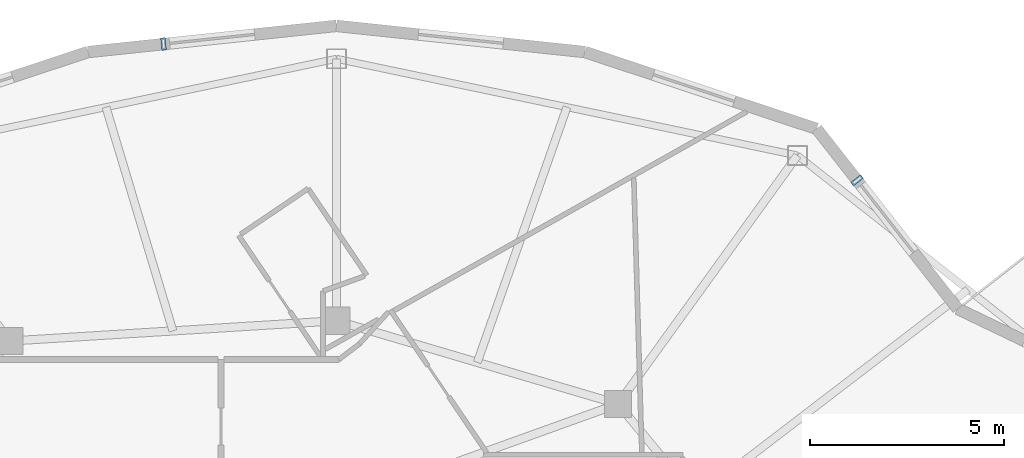
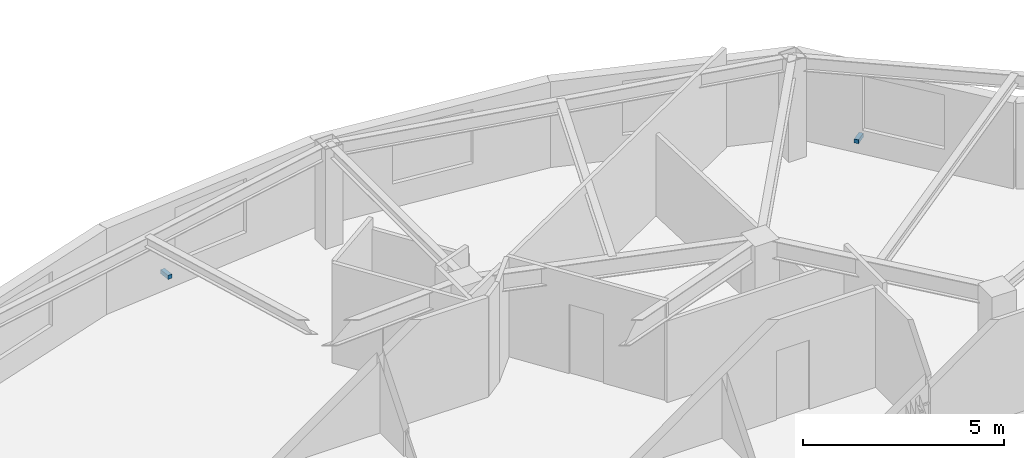
# One storey, part 9 of 13: 2 discrete accessories.
"""IFC4 building model written with IfcOpenShell, lengths in metres."""

from ifc_helpers import new_model, si_unit, direction, frame, origin, origin_2d, place, context, subcontext, project, spatial, rectangle, extrude, material, type_object, element, save


model = new_model("IFC4")

# Units and contexts
model_context = context("Model", 3, precision=1e-05, world=origin(), true_north=direction((0.0, 1.0)))
body_context = subcontext(model_context, "Body", "Model", "MODEL_VIEW")
ifc_project = project(units=[si_unit("LENGTHUNIT", "METRE"), si_unit("AREAUNIT", "SQUARE_METRE"), si_unit("VOLUMEUNIT", "CUBIC_METRE"), si_unit("PLANEANGLEUNIT", "RADIAN"), si_unit("MASSUNIT", "GRAM", prefix="KILO")], contexts=[model_context])

# Site, building, storey
site_placement = place(None, origin())
site = spatial("IfcSite", under=ifc_project, at=site_placement, CompositionType="ELEMENT")
building_placement = place(site_placement, origin())
building = spatial("IfcBuilding", under=site, at=building_placement, Name="Kolvaren Gate Tower and Convention Centre", CompositionType="ELEMENT")
storey_placement = place(building_placement, frame((0.0, 0.0, 196.39990234375)))
storey = spatial("IfcBuildingStorey", under=building, at=storey_placement, Name="L51", CompositionType="ELEMENT", Elevation=196.39990234375)

# Discrete accessories
ifc_material = material(Name="Anodized Architectural Aluminium Alloy 6063-T6", Category="aluminium")
discrete_accessory_type = type_object("IfcDiscreteAccessoryType", Name="ARCH-ACC-BRACKET-120", PredefinedType="BRACKET", material=ifc_material)
for number, where, z_axis, x_axis, name in (
    (1, (43.539306640625, 42.819580078125, 0.2900390625), (0.0, 0.0, 1.0), (0.616434119112, -0.787406487651, 0.0), "Ceramic Fin Wall Anchor Bracket FBK-L51-03"),
    (2, (25.66943359375, 46.330810546875, 0.2900390625), (0.0, 0.0, 1.0), (0.994498884311, 0.104747167526, 0.0), "Ceramic Fin Wall Anchor Bracket FBK-L51-06"),
):
    element("IfcDiscreteAccessory", number, at=place(storey_placement, frame(where, z_axis=z_axis, x_axis=x_axis)), inside=storey, type_object=discrete_accessory_type, Name=name, PredefinedType="BRACKET", context=body_context, shape_type="SweptSolid", body=[
        extrude(rectangle(XDim=0.1201171875, YDim=0.320068359375, at=origin_2d()), origin(), (0.0, 0.0, 1.0), 0.1201171875),
    ])

save(model, "model.ifc")
